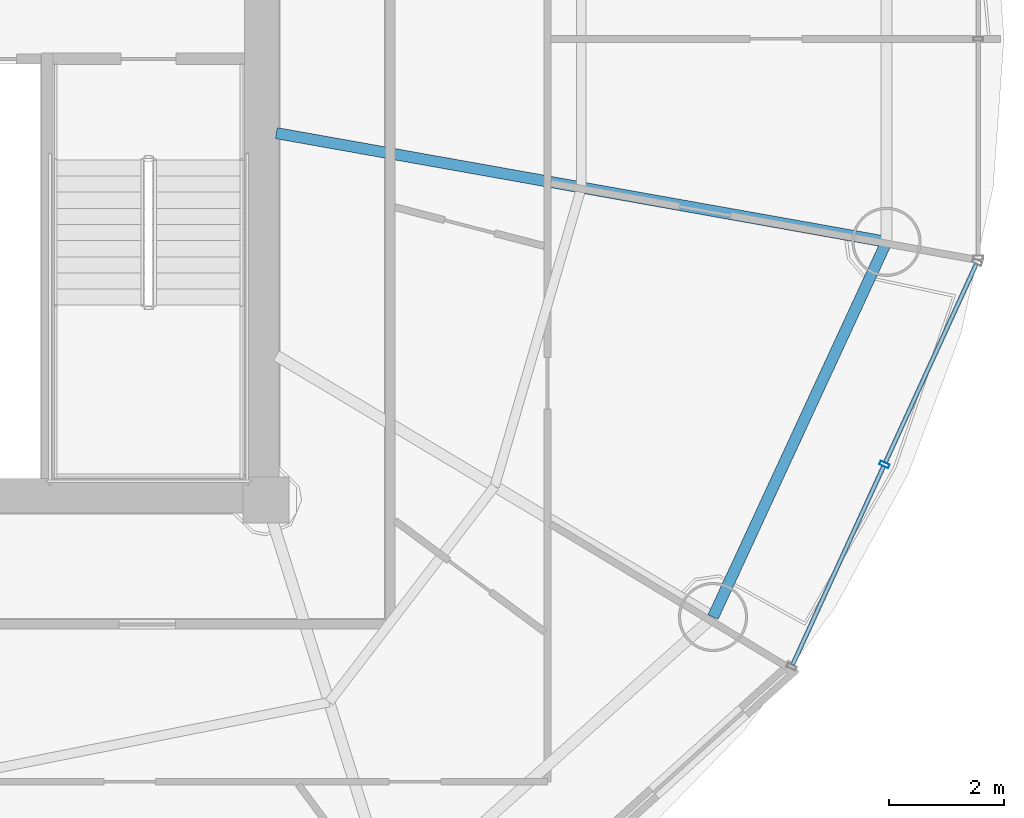
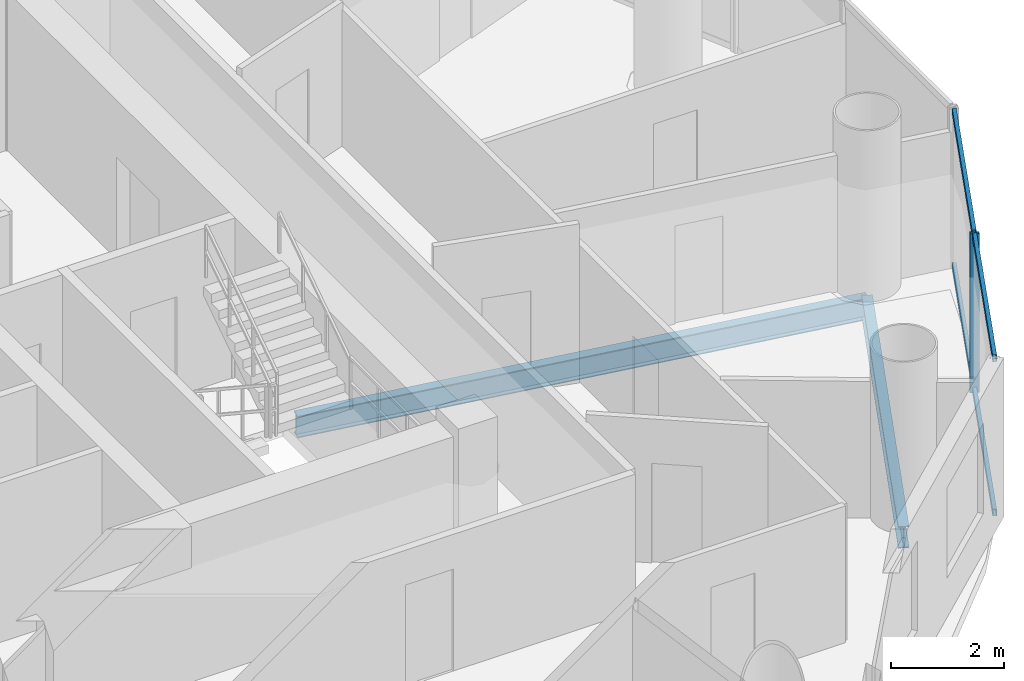
# One storey, part 12 of 26: 5 members, 2 beams, 1 element without a shape of its own.
"""IFC4 building model written with IfcOpenShell, lengths in metres."""

from ifc_helpers import new_model, si_unit, direction, frame, origin, origin_2d, place, context, subcontext, project, spatial, hollow_rectangle, i_section, extrude, source, transform, mapped, material, material_profile, profile_set, type_object, element, aggregate, save


model = new_model("IFC4")

# Units and contexts
model_context = context("Model", 3, precision=1e-05, world=origin(), true_north=direction((-0.2419218956, 0.970295726276)))
body_context = subcontext(model_context, "Body", "Model", "MODEL_VIEW")
ifc_project = project(units=[si_unit("LENGTHUNIT", "METRE"), si_unit("AREAUNIT", "SQUARE_METRE"), si_unit("VOLUMEUNIT", "CUBIC_METRE"), si_unit("PLANEANGLEUNIT", "RADIAN"), si_unit("MASSUNIT", "GRAM", prefix="KILO")], contexts=[model_context])

# Site, building, storey
site_placement = place(None, origin())
site = spatial("IfcSite", under=ifc_project, at=site_placement, CompositionType="ELEMENT")
building_placement = place(site_placement, origin())
building = spatial("IfcBuilding", under=site, at=building_placement, Name="Cobrevalo Terracotta Tower", CompositionType="ELEMENT")
storey_placement = place(building_placement, frame((0.0, 0.0, 231.89990234375)))
storey = spatial("IfcBuildingStorey", under=building, at=storey_placement, Name="L61", CompositionType="ELEMENT", Elevation=231.89990234375)

# Beams
ifc_material_1 = material(Name="Steel S355", Category="steel")
ifc_material_profile_1 = material_profile(ifc_material_1, i_section(OverallWidth=0.194091796875, OverallDepth=0.468994140625, WebThickness=0.011474609375, FlangeThickness=0.0205078125, at=origin_2d()), Name="W 460x106")
ifc_profile_set_1 = profile_set([ifc_material_profile_1], Name="Steel S355")
beam_type_1 = type_object("IfcBeamType", Name="Structural Beam W 460x106 (Steel S355)", PredefinedType="BEAM", material=ifc_profile_set_1)
beam_1_placement = place(storey_placement, frame((57.762939453125, 23.278564453125, -0.49951171875), z_axis=(-0.984493198547, 0.175422752274, 0.0), x_axis=(-0.175422752274, -0.984493198547, 0.0)))
element("IfcBeam", 1, at=beam_1_placement, inside=storey, type_object=beam_type_1, Name="L61 radial floor girder 16", PredefinedType="BEAM", context=body_context, shape_type="SweptSolid", body=[
    extrude(i_section(OverallWidth=0.194091796875, OverallDepth=0.468994140625, WebThickness=0.011474609375, FlangeThickness=0.0205078125, at=origin_2d()), origin(), (0.0, 0.0, 1.0), 10.749755859375),
])
ifc_material_profile_2 = material_profile(ifc_material_1, i_section(OverallWidth=0.194091796875, OverallDepth=0.468994140625, WebThickness=0.011474609375, FlangeThickness=0.0205078125, at=origin_2d()), Name="W 460x106")
ifc_profile_set_2 = profile_set([ifc_material_profile_2], Name="Steel S355")
beam_type_2 = type_object("IfcBeamType", Name="Structural Spandrel W 460x106 (Steel S355)", PredefinedType="SPANDREL", material=ifc_profile_set_2)
beam_2_placement = place(storey_placement, frame((54.754150390625, 16.77197265625, -0.49951171875), z_axis=(0.419718939129, 0.90765412583, 0.0), x_axis=(-0.90765412583, 0.419718939129, 0.0)))
element("IfcBeam", 2, at=beam_2_placement, inside=storey, type_object=beam_type_2, Name="L61 perimeter ring spandrel 15", PredefinedType="SPANDREL", context=body_context, shape_type="SweptSolid", body=[
    extrude(i_section(OverallWidth=0.194091796875, OverallDepth=0.468994140625, WebThickness=0.011474609375, FlangeThickness=0.0205078125, at=origin_2d()), origin(), (0.0, 0.0, 1.0), 7.168701171875),
])

# Curtain wall, members
ifc_material_2 = material(Name="Anodized aluminium", Category="aluminium")
curtain_wall_type = type_object("IfcCurtainWallType", Name="Mid-tower high-wind unitised curtain wall CW-U2", PredefinedType="NOTDEFINED", material=ifc_material_2)
curtain_wall_placement = place(storey_placement, origin())
curtain_wall = element("IfcCurtainWall", 3, at=curtain_wall_placement, inside=storey, type_object=curtain_wall_type, Name="L61 curtain wall CW-L61-S15", PredefinedType="NOTDEFINED")
ifc_material_profile_3 = material_profile(ifc_material_2, hollow_rectangle(XDim=0.074951171875, YDim=0.14990234375, WallThickness=0.00439453125, at=origin_2d()), Name="CWT 75x150")
ifc_profile_set_3 = profile_set([ifc_material_profile_3], Name="Anodized aluminium")
member_type_1 = type_object("IfcMemberType", Name="Tower unitised aluminium transom 75x150", PredefinedType="USERDEFINED", material=ifc_profile_set_3)
shared_shape_1 = source(origin(), body_context, "Body", "SweptSolid", [
    extrude(hollow_rectangle(XDim=0.074951171875, YDim=0.14990234375, WallThickness=0.00439453125, at=origin_2d()), origin(), (0.0, 0.0, 1.0), 3.780029296875),
])
member_1_placement = place(storey_placement, frame((56.134521484375, 15.944580078125, 0.050048828125), z_axis=(0.416705859352, 0.909041377926, 0.0), x_axis=(-0.909041377926, 0.416705859352, 0.0)))
member_1 = element("IfcMember", 4, at=member_1_placement, type_object=member_type_1, Name="CW-L61-S15 transom B01-T1", ObjectType="TRANSOM", PredefinedType="USERDEFINED", context=body_context, shape_type="MappedRepresentation", body=[
    mapped(shared_shape_1, transform((0.0, 0.0, 0.0), scale=1.0)),
])
member_2_placement = place(storey_placement, frame((56.134521484375, 15.944580078125, 3.385009765625), z_axis=(0.416705859352, 0.909041377926, 0.0), x_axis=(-0.909041377926, 0.416705859352, 0.0)))
member_2 = element("IfcMember", 5, at=member_2_placement, type_object=member_type_1, Name="CW-L61-S15 transom B01-T2", ObjectType="TRANSOM", PredefinedType="USERDEFINED", context=body_context, shape_type="MappedRepresentation", body=[
    mapped(shared_shape_1, transform((0.0, 0.0, 0.0), scale=1.0)),
])
member_3_placement = place(storey_placement, frame((57.7431640625, 19.45361328125, 0.050048828125), z_axis=(0.416705859352, 0.909041377926, 0.0), x_axis=(-0.909041377926, 0.416705859352, 0.0)))
member_3 = element("IfcMember", 6, at=member_3_placement, type_object=member_type_1, Name="CW-L61-S15 transom B02-T1", ObjectType="TRANSOM", PredefinedType="USERDEFINED", context=body_context, shape_type="MappedRepresentation", body=[
    mapped(shared_shape_1, transform((0.0, 0.0, 0.0), scale=1.0)),
])
member_4_placement = place(storey_placement, frame((57.7431640625, 19.45361328125, 3.385009765625), z_axis=(0.416705859352, 0.909041377926, 0.0), x_axis=(-0.909041377926, 0.416705859352, 0.0)))
member_4 = element("IfcMember", 7, at=member_4_placement, type_object=member_type_1, Name="CW-L61-S15 transom B02-T2", ObjectType="TRANSOM", PredefinedType="USERDEFINED", context=body_context, shape_type="MappedRepresentation", body=[
    mapped(shared_shape_1, transform((0.0, 0.0, 0.0), scale=1.0)),
])
ifc_material_profile_4 = material_profile(ifc_material_2, hollow_rectangle(XDim=0.070068359375, YDim=0.169921875, WallThickness=0.00439453125, at=origin_2d()), Name="CWM 70x170")
ifc_profile_set_4 = profile_set([ifc_material_profile_4], Name="Anodized aluminium")
member_type_2 = type_object("IfcMemberType", Name="Upper tower unitised mullion 70x170", PredefinedType="MULLION", material=ifc_profile_set_4)
shared_shape_2 = source(origin(), body_context, "Body", "SweptSolid", [
    extrude(hollow_rectangle(XDim=0.070068359375, YDim=0.169921875, WallThickness=0.00439453125, at=origin_2d()), origin(), (0.0, 0.0, 1.0), 3.43505859375),
])
member_5_placement = place(storey_placement, frame((57.726318359375, 19.417236328125, 0.0), z_axis=(0.0, 0.0, 1.0), x_axis=(0.41672507912, 0.909032567311, 0.0)))
member_5 = element("IfcMember", 8, at=member_5_placement, type_object=member_type_2, Name="CW-L61-S15 vertical mullion 02", PredefinedType="MULLION", context=body_context, shape_type="MappedRepresentation", body=[
    mapped(shared_shape_2, transform((0.0, 0.0, 0.0), scale=1.0)),
])
aggregate(curtain_wall, [member_5, member_1, member_2, member_3, member_4])

save(model, "model.ifc")
